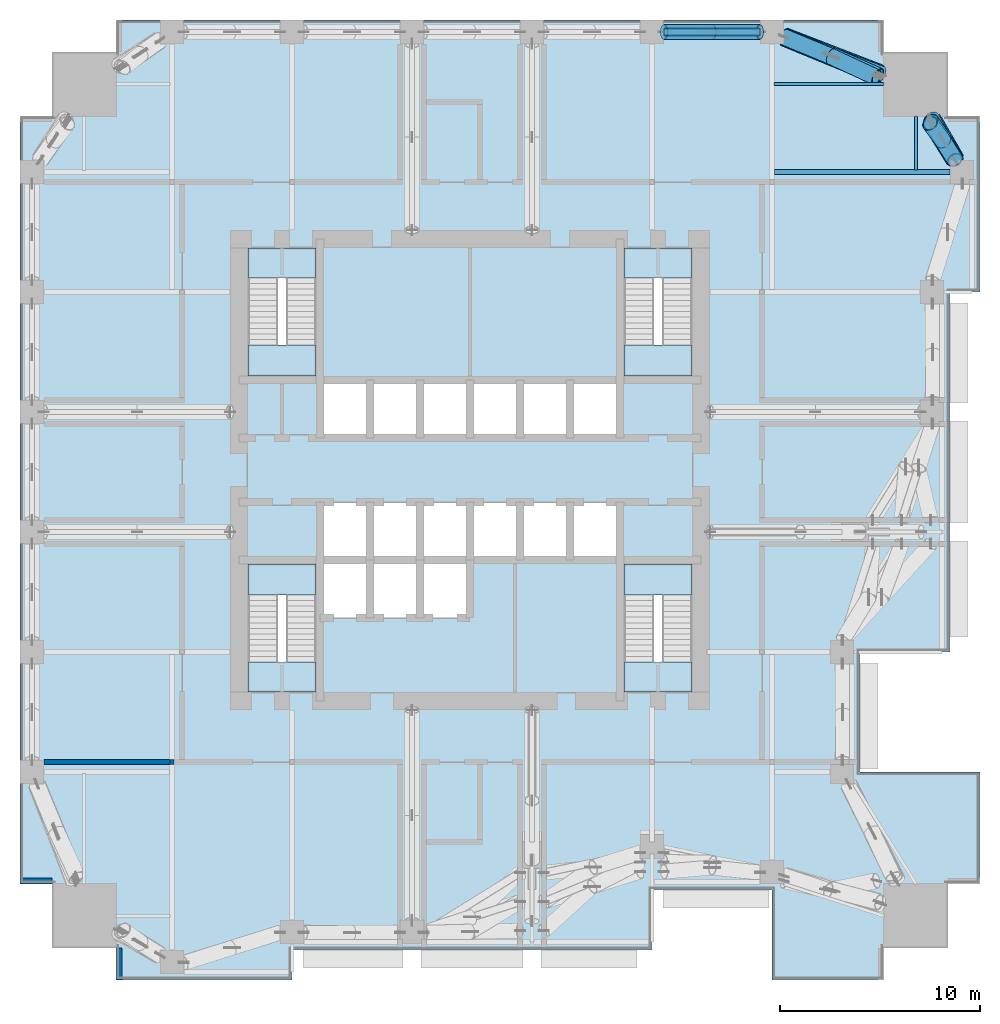
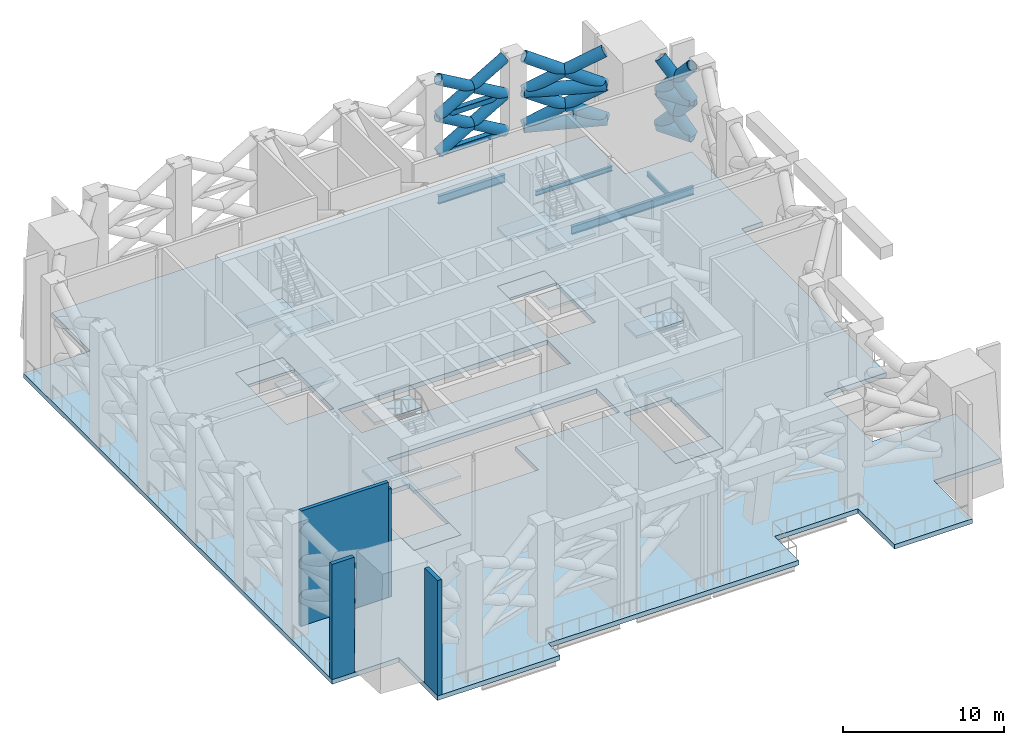
# One storey, part 6 of 18: 18 members, 17 slabs, 10 beams, 4 walls, 4 elements without a shape of their own.
"""IFC4 building model written with IfcOpenShell, lengths in metres."""

import ifcopenshell
import ifcopenshell.guid

model = None  # the IFC model being written
_history = None  # IfcOwnerHistory: only IFC2X3 demands one
_inside = {}  # id of a spatial element -> (the spatial element, [elements in it])
_under = {}  # id of a project, library or spatial element -> (it, [spatial elements below it])
_declared = {}  # id of a project -> (the project, [libraries it declares])
_typed = {}  # id of a type object -> (the type object, [elements of that type])
_made_of = {}  # id of a material, layer set ... -> (it, [elements and type objects made of it])


def new_model(schema):
    """Start an empty IFC model of exactly this schema.

    Asked for "IFC4X3", IfcOpenShell would pick the latest addendum, in which some entities
    have other attributes; the version numbers below select the first issue.
    IFC2X3 requires an IfcOwnerHistory on every rooted entity: one is made here for all.
    """
    global model, _history
    if schema == "IFC4X3":
        model = ifcopenshell.file(schema_version=(4, 3, 0, 0))
    else:
        model = ifcopenshell.file(schema=schema)
    _inside.clear()
    _under.clear()
    _declared.clear()
    _typed.clear()
    _made_of.clear()
    _history = None
    if model.schema == "IFC2X3":
        org = make("IfcOrganization", Name="unknown")
        user = make(
            "IfcPersonAndOrganization",
            ThePerson=make("IfcPerson", FamilyName="unknown"),
            TheOrganization=org,
        )
        app = make(
            "IfcApplication",
            ApplicationDeveloper=org,
            Version="unknown",
            ApplicationFullName="unknown",
            ApplicationIdentifier="unknown",
        )
        _history = make(
            "IfcOwnerHistory",
            OwningUser=user,
            OwningApplication=app,
            ChangeAction="ADDED",
            CreationDate=0,
        )
    return model


def make(cls, **values):
    """One entity of the class cls with the attributes given. An attribute that is None is left unset."""
    return model.create_entity(
        cls, **{name: value for name, value in values.items() if value is not None}
    )


def rooted(cls, **values):
    """An entity with a GlobalId (a new one), such as an element, a storey or a relation."""
    return make(cls, GlobalId=ifcopenshell.guid.new(), OwnerHistory=_history, **values)


def si_unit(unit_type, name, prefix=None):
    """IfcSIUnit, for example si_unit("LENGTHUNIT", "METRE", prefix="MILLI")."""
    return make("IfcSIUnit", UnitType=unit_type, Prefix=prefix, Name=name)


def assignment(units):
    """IfcUnitAssignment: the units of a project."""
    return None if units is None else make("IfcUnitAssignment", Units=units)


def point(xyz):
    """IfcCartesianPoint."""
    return None if xyz is None else make("IfcCartesianPoint", Coordinates=xyz)


def direction(xyz):
    """IfcDirection."""
    return None if xyz is None else make("IfcDirection", DirectionRatios=xyz)


def frame(location, z_axis=None, x_axis=None):
    """IfcAxis2Placement3D, a coordinate frame: its origin and axes. An axis left out is left unset."""
    return make(
        "IfcAxis2Placement3D",
        Location=point(location),
        Axis=direction(z_axis),
        RefDirection=direction(x_axis),
    )


def frame_2d(location, x_axis=None):
    """IfcAxis2Placement2D, a coordinate frame in the plane: its origin and x axis."""
    return make(
        "IfcAxis2Placement2D", Location=point(location), RefDirection=direction(x_axis)
    )


def origin():
    """The frame at (0, 0, 0) with its axes left unset."""
    return frame((0.0, 0.0, 0.0))


def origin_2d():
    """The frame at (0, 0) in the plane with its x axis left unset."""
    return frame_2d((0.0, 0.0))


def place(relative_to, where):
    """IfcLocalPlacement: puts the frame where relative to a parent placement (None: the world)."""
    return make(
        "IfcLocalPlacement", PlacementRelTo=relative_to, RelativePlacement=where
    )


def context(
    kind, dimensions, precision=None, world=None, true_north=None, identifier=None
):
    """IfcGeometricRepresentationContext, for example the 3D "Model" context."""
    return make(
        "IfcGeometricRepresentationContext",
        ContextIdentifier=identifier,
        ContextType=kind,
        CoordinateSpaceDimension=dimensions,
        Precision=precision,
        WorldCoordinateSystem=world,
        TrueNorth=true_north,
    )


def subcontext(parent, identifier, kind, view, scale=None):
    """IfcGeometricRepresentationSubContext, for example "Body" below "Model"."""
    return make(
        "IfcGeometricRepresentationSubContext",
        ContextIdentifier=identifier,
        ContextType=kind,
        ParentContext=parent,
        TargetScale=scale,
        TargetView=view,
    )


def project(units=None, contexts=None):
    """IfcProject with its units and contexts."""
    return rooted(
        "IfcProject",
        Name="project",
        RepresentationContexts=contexts,
        UnitsInContext=assignment(units),
    )


def spatial(cls, under=None, at=None, **own):
    """A site, building, storey or space (cls), placed at a placement, below another one or the project."""
    s = rooted(cls, ObjectPlacement=at, **own)
    if under is not None:
        _under.setdefault(under.id(), (under, []))[1].append(s)
    return s


def polyline(points):
    """IfcPolyline through the points."""
    return make("IfcPolyline", Points=[point(p) for p in points])


def profile(cls, at=None, kind="AREA", **sizes):
    """A parametric profile (cls). Its sizes go by their IFC names, for example OverallWidth=200.0."""
    return make(cls, ProfileType=kind, Position=at, **sizes)


def rectangle(**sizes):
    """IfcRectangleProfileDef."""
    return profile("IfcRectangleProfileDef", **sizes)


def hollow_rectangle(**sizes):
    """IfcRectangleHollowProfileDef."""
    return profile("IfcRectangleHollowProfileDef", **sizes)


def hollow_circle(**sizes):
    """IfcCircleHollowProfileDef."""
    return profile("IfcCircleHollowProfileDef", **sizes)


def i_section(**sizes):
    """IfcIShapeProfileDef."""
    return profile("IfcIShapeProfileDef", **sizes)


def outline(outer, holes=None, kind="AREA"):
    """IfcArbitraryClosedProfileDef: a profile drawn as a closed curve; with holes, ...WithVoids."""
    if holes is None:
        return make("IfcArbitraryClosedProfileDef", ProfileType=kind, OuterCurve=outer)
    return make(
        "IfcArbitraryProfileDefWithVoids",
        ProfileType=kind,
        OuterCurve=outer,
        InnerCurves=holes,
    )


def extrude(swept, where, along, depth):
    """IfcExtrudedAreaSolid: the profile swept, set in the frame where, extruded along a direction by depth."""
    return make(
        "IfcExtrudedAreaSolid",
        SweptArea=swept,
        Position=where,
        ExtrudedDirection=direction(along),
        Depth=depth,
    )


def shape(context_of_items, identifier, shape_type, items):
    """IfcShapeRepresentation: the items that make up one representation, for example the "Body"."""
    return make(
        "IfcShapeRepresentation",
        ContextOfItems=context_of_items,
        RepresentationIdentifier=identifier,
        RepresentationType=shape_type,
        Items=items,
    )


def material(Name=None, Category=None):
    """IfcMaterial."""
    return make("IfcMaterial", Name=Name, Category=Category)


def layer(
    of_material, thickness, ventilated=None, Name=None, Category=None, Priority=None
):
    """IfcMaterialLayer: one layer of a wall or slab, of a material (None: an air gap)."""
    return make(
        "IfcMaterialLayer",
        Material=of_material,
        LayerThickness=thickness,
        IsVentilated=ventilated,
        Name=Name,
        Category=Category,
        Priority=Priority,
    )


def layer_set(layers, Name=None):
    """IfcMaterialLayerSet."""
    return make("IfcMaterialLayerSet", MaterialLayers=layers, LayerSetName=Name)


def material_profile(
    of_material, cross_section, Name=None, Category=None, Priority=None
):
    """IfcMaterialProfile: a cross section and its material."""
    return make(
        "IfcMaterialProfile",
        Name=Name,
        Material=of_material,
        Profile=cross_section,
        Priority=Priority,
        Category=Category,
    )


def profile_set(profiles, Name=None, composite=None):
    """IfcMaterialProfileSet."""
    return make(
        "IfcMaterialProfileSet",
        Name=Name,
        MaterialProfiles=profiles,
        CompositeProfile=composite,
    )


def made_of(thing, what):
    """Note that an element or type object is made of a material, layer set ...; save() writes the relation."""
    if what is not None:
        _made_of.setdefault(what.id(), (what, []))[1].append(thing)
    return thing


def type_object(cls, material=None, **own):
    """A type object (cls), such as IfcWallType, which elements share."""
    return made_of(rooted(cls, **own), material)


def element(
    cls,
    number,
    at=None,
    inside=None,
    cuts=None,
    type_object=None,
    material=None,
    context=None,
    identifier="Body",
    shape_type=None,
    held_by="IfcProductDefinitionShape",
    body=None,
    shapes=None,
    **own,
):
    """One element of the class cls, such as IfcWall. Its Tag is "e" and its number.

    at: its placement. inside: the storey or other place that contains it. cuts: it is an
    opening in that element (IfcRelVoidsElement). A single representation is given by context,
    identifier, shape_type and body (its items); several are given by shapes. held_by: the class
    of the entity that holds the representations. save() writes the other relations.
    """
    e = rooted(cls, Tag="e%d" % number, ObjectPlacement=at, **own)
    if body is not None:
        shapes = [shape(context, identifier, shape_type, body)]
    if shapes is not None:
        e.Representation = make(held_by, Representations=shapes)
    if inside is not None:
        _inside.setdefault(inside.id(), (inside, []))[1].append(e)
    if cuts is not None:
        rooted(
            "IfcRelVoidsElement", RelatingBuildingElement=cuts, RelatedOpeningElement=e
        )
    if type_object is not None:
        _typed.setdefault(type_object.id(), (type_object, []))[1].append(e)
    return made_of(e, material)


def aggregate(whole, parts):
    """IfcRelAggregates: a whole, such as a stair, and the parts it consists of."""
    return rooted("IfcRelAggregates", RelatingObject=whole, RelatedObjects=parts)


def save(model, path):
    """Write the relations noted so far, then the file.

    IfcRelAggregates (storeys below a building ...), IfcRelContainedInSpatialStructure (elements
    in a storey), IfcRelDefinesByType, IfcRelAssociatesMaterial and IfcRelDeclares: one each for
    every whole, place, type object, material and project.
    """
    for whole, parts in _under.values():
        aggregate(whole, parts)
    for where, things in _inside.values():
        rooted(
            "IfcRelContainedInSpatialStructure",
            RelatedElements=things,
            RelatingStructure=where,
        )
    for kind, things in _typed.values():
        rooted("IfcRelDefinesByType", RelatedObjects=things, RelatingType=kind)
    for what, things in _made_of.values():
        rooted("IfcRelAssociatesMaterial", RelatedObjects=things, RelatingMaterial=what)
    for by, libraries in _declared.values():
        rooted("IfcRelDeclares", RelatingContext=by, RelatedDefinitions=libraries)
    model.write(path)


model = new_model("IFC4")

# Units and contexts
model_context = context("Model", 3, precision=1e-05, world=origin(), true_north=direction((0.0, 1.0)))
body_context = subcontext(model_context, "Body", "Model", "MODEL_VIEW")
ifc_project = project(units=[si_unit("LENGTHUNIT", "METRE"), si_unit("AREAUNIT", "SQUARE_METRE"), si_unit("VOLUMEUNIT", "CUBIC_METRE"), si_unit("PLANEANGLEUNIT", "RADIAN"), si_unit("MASSUNIT", "GRAM", prefix="KILO")], contexts=[model_context])

# Site, building, storey
site_placement = place(None, origin())
site = spatial("IfcSite", under=ifc_project, at=site_placement, CompositionType="ELEMENT")
building_placement = place(site_placement, origin())
building = spatial("IfcBuilding", under=site, at=building_placement, Name="Amberfall Residences", CompositionType="ELEMENT")
storey_placement = place(building_placement, frame((0.0, 0.0, 69.699951171875)))
storey = spatial("IfcBuildingStorey", under=building, at=storey_placement, Name="L19", CompositionType="ELEMENT", Elevation=69.699951171875)

# Beams
ifc_material_1 = material(Name="Steel S355", Category="steel")
ifc_material_profile_1 = material_profile(ifc_material_1, hollow_circle(Radius=0.457275390625, WallThickness=0.06005859375, at=origin_2d()), Name="CHS 914.4x60")
ifc_profile_set_1 = profile_set([ifc_material_profile_1], Name="Steel S355")
beam_type_1 = type_object("IfcBeamType", Name="Belt truss chord BT CHS 914.4x60", PredefinedType="BEAM", material=ifc_profile_set_1)
beam_1_placement = place(storey_placement, frame((97.587158203125, 63.068115234375, 3.0), z_axis=(0.497637885709, -0.867384882683, 0.0), x_axis=(0.867384882683, 0.497637885709, 0.0)))
element("IfcBeam", 1, at=beam_1_placement, inside=storey, type_object=beam_type_1, Name="Belt truss chord BT2 L19 NEE", PredefinedType="BEAM", context=body_context, shape_type="SweptSolid", body=[
    extrude(hollow_circle(Radius=0.457275390625, WallThickness=0.06005859375, at=origin_2d()), origin(), (0.0, 0.0, 1.0), 2.38427734375),
])
beam_2_placement = place(storey_placement, frame((97.544921875, 62.94677734375, 5.646484375), z_axis=(0.528869554533, -0.848703124943, 0.0), x_axis=(0.848703124943, 0.528869554533, 0.0)))
element("IfcBeam", 2, at=beam_2_placement, inside=storey, type_object=beam_type_1, Name="Belt truss chord BT2 L19 NEEm", PredefinedType="BEAM", context=body_context, shape_type="SweptSolid", body=[
    extrude(hollow_circle(Radius=0.457275390625, WallThickness=0.06005859375, at=origin_2d()), origin(), (0.0, 0.0, 1.0), 2.2939453125),
])
beam_3_placement = place(storey_placement, frame((95.06787109375, 65.28759765625, 3.0), z_axis=(-0.932809214738, 0.360370599384, 0.0), x_axis=(-0.360370599384, -0.932809214738, 0.0)))
element("IfcBeam", 3, at=beam_3_placement, inside=storey, type_object=beam_type_1, Name="Belt truss chord BT2 L19 NEN", PredefinedType="BEAM", context=body_context, shape_type="SweptSolid", body=[
    extrude(hollow_circle(Radius=0.457275390625, WallThickness=0.06005859375, at=origin_2d()), origin(), (0.0, 0.0, 1.0), 5.218505859375),
])
beam_4_placement = place(storey_placement, frame((94.9462890625, 65.20458984375, 5.646484375), z_axis=(-0.92504818344, 0.37984978388, 0.0), x_axis=(-0.37984978388, -0.92504818344, 0.0)))
element("IfcBeam", 4, at=beam_4_placement, inside=storey, type_object=beam_type_1, Name="Belt truss chord BT2 L19 NENm", PredefinedType="BEAM", context=body_context, shape_type="SweptSolid", body=[
    extrude(hollow_circle(Radius=0.457275390625, WallThickness=0.06005859375, at=origin_2d()), origin(), (0.0, 0.0, 1.0), 5.130859375),
])
ifc_material_profile_2 = material_profile(ifc_material_1, hollow_rectangle(XDim=0.39990234375, YDim=0.39990234375, WallThickness=0.02001953125, InnerFilletRadius=0.02001953125, OuterFilletRadius=0.030029296875, at=origin_2d()), Name="RHS 400x400x20")
ifc_profile_set_2 = profile_set([ifc_material_profile_2], Name="Steel S355")
beam_type_2 = type_object("IfcBeamType", Name="Belt truss chord BT RHS 400x400x20", PredefinedType="BEAM", material=ifc_profile_set_2)
for number, where, z_axis, x_axis, name in (
    (5, (84.199951171875, 67.39990234375, 2.900146484375), (1.0, 0.0, 0.0), (0.0, 1.0, 0.0), "Belt truss chord BT3 L19 N5"),
    (6, (84.199951171875, 67.39990234375, 5.699951171875), (1.0, 0.0, 0.0), (0.0, 1.0, 0.0), "Belt truss chord BT3 L19 N5m"),
):
    element("IfcBeam", number, at=place(storey_placement, frame(where, z_axis=z_axis, x_axis=x_axis)), inside=storey, type_object=beam_type_2, Name=name, PredefinedType="BEAM", context=body_context, shape_type="SweptSolid", body=[
        extrude(hollow_rectangle(XDim=0.39990234375, YDim=0.39990234375, WallThickness=0.02001953125, InnerFilletRadius=0.02001953125, OuterFilletRadius=0.030029296875, at=origin_2d()), origin(), (0.0, 0.0, 1.0), 4.800048828125),
    ])

# Members
ifc_material_profile_3 = material_profile(ifc_material_1, hollow_circle(Radius=0.381103515625, WallThickness=0.0400390625, at=origin_2d()), Name="CHS 762x40")
ifc_profile_set_3 = profile_set([ifc_material_profile_3], Name="Steel S355")
member_type_1 = type_object("IfcMemberType", Name="Belt truss diagonal BT CHS 762x40", PredefinedType="BRACE", material=ifc_profile_set_3)
member_1_placement = place(storey_placement, frame((84.199951171875, 67.39990234375, 2.900146484375), z_axis=(0.863796428652, 0.0, 0.503840976745), x_axis=(0.0, 1.0, 0.0)))
element("IfcMember", 7, at=member_1_placement, inside=storey, type_object=member_type_1, Name="Belt truss diagonal BT4 L19 N5d", PredefinedType="BRACE", context=body_context, shape_type="SweptSolid", body=[
    extrude(hollow_circle(Radius=0.381103515625, WallThickness=0.0400390625, at=origin_2d()), origin(), (0.0, 0.0, 1.0), 5.556884765625),
])
member_2_placement = place(storey_placement, frame((84.199951171875, 67.39990234375, 5.699951171875), z_axis=(0.863807581045, 0.0, -0.503821856343), x_axis=(0.0, 1.0, 0.0)))
element("IfcMember", 8, at=member_2_placement, inside=storey, type_object=member_type_1, Name="Belt truss diagonal BT4 L19 N5e", PredefinedType="BRACE", context=body_context, shape_type="SweptSolid", body=[
    extrude(hollow_circle(Radius=0.381103515625, WallThickness=0.0400390625, at=origin_2d()), origin(), (0.0, 0.0, 1.0), 2.778564453125),
])
member_3_placement = place(storey_placement, frame((86.60009765625, 67.39990234375, 4.300048828125), z_axis=(0.86378527499, 0.0, -0.503860098351), x_axis=(0.0, 1.0, 0.0)))
element("IfcMember", 9, at=member_3_placement, inside=storey, type_object=member_type_1, Name="Belt truss diagonal BT4 L19 N5e2", PredefinedType="BRACE", context=body_context, shape_type="SweptSolid", body=[
    extrude(hollow_circle(Radius=0.381103515625, WallThickness=0.0400390625, at=origin_2d()), origin(), (0.0, 0.0, 1.0), 2.7783203125),
])
member_4_placement = place(storey_placement, frame((84.199951171875, 67.39990234375, 5.699951171875), z_axis=(0.86377730745, 0.0, 0.503873757141), x_axis=(0.0, 1.0, 0.0)))
element("IfcMember", 10, at=member_4_placement, inside=storey, type_object=member_type_1, Name="Belt truss diagonal BT4 L19 N5du", PredefinedType="BRACE", context=body_context, shape_type="SweptSolid", body=[
    extrude(hollow_circle(Radius=0.381103515625, WallThickness=0.0400390625, at=origin_2d()), origin(), (0.0, 0.0, 1.0), 5.55712890625),
])
for number, where, z_axis, x_axis, name in (
    (11, (84.199951171875, 67.39990234375, 8.5), (0.863807581045, 0.0, -0.503821856343), (0.0, 1.0, 0.0), "Belt truss diagonal BT4 L19 N5eu"),
    (12, (86.60009765625, 67.39990234375, 7.10009765625), (0.863747029779, 0.0, -0.50392565776), (0.0, 1.0, 0.0), "Belt truss diagonal BT4 L19 N5e2u"),
):
    element("IfcMember", number, at=place(storey_placement, frame(where, z_axis=z_axis, x_axis=x_axis)), inside=storey, type_object=member_type_1, Name=name, PredefinedType="BRACE", context=body_context, shape_type="SweptSolid", body=[
        extrude(hollow_circle(Radius=0.381103515625, WallThickness=0.0400390625, at=origin_2d()), origin(), (0.0, 0.0, 1.0), 2.778564453125),
    ])
ifc_material_profile_4 = material_profile(ifc_material_1, hollow_circle(Radius=0.406494140625, WallThickness=0.050048828125, at=origin_2d()), Name="CHS 813x50")
ifc_profile_set_4 = profile_set([ifc_material_profile_4], Name="Steel S355")
member_type_2 = type_object("IfcMemberType", Name="Belt truss diagonal BT CHS 813x50", PredefinedType="BRACE", material=ifc_profile_set_4)
member_5_placement = place(storey_placement, frame((97.587158203125, 63.068115234375, 3.0), z_axis=(0.329184911807, -0.581427311909, 0.744029283567), x_axis=(0.870208658221, 0.492683357906, 0.0)))
element("IfcMember", 13, at=member_5_placement, inside=storey, type_object=member_type_2, Name="Belt truss diagonal BT5 L19 NEEd", PredefinedType="BRACE", context=body_context, shape_type="SweptSolid", body=[
    extrude(hollow_circle(Radius=0.406494140625, WallThickness=0.050048828125, at=origin_2d()), origin(), (0.0, 0.0, 1.0), 3.556884765625),
])
member_6_placement = place(storey_placement, frame((97.544921875, 62.94677734375, 5.646484375), z_axis=(0.371395803632, -0.542198151826, -0.753715013252), x_axis=(0.825010647697, 0.565117183588, 0.0)))
element("IfcMember", 14, at=member_6_placement, inside=storey, type_object=member_type_2, Name="Belt truss diagonal BT5 L19 NEEe", PredefinedType="BRACE", context=body_context, shape_type="SweptSolid", body=[
    extrude(hollow_circle(Radius=0.406494140625, WallThickness=0.050048828125, at=origin_2d()), origin(), (0.0, 0.0, 1.0), 1.720947265625),
])
member_7_placement = place(storey_placement, frame((98.18408203125, 62.013671875, 4.349365234375), z_axis=(0.329805235178, -0.56701918694, -0.754796494753), x_axis=(0.864412500446, 0.502783282412, 0.0)))
element("IfcMember", 15, at=member_7_placement, inside=storey, type_object=member_type_2, Name="Belt truss diagonal BT5 L19 NEEe2", PredefinedType="BRACE", context=body_context, shape_type="SweptSolid", body=[
    extrude(hollow_circle(Radius=0.406494140625, WallThickness=0.050048828125, at=origin_2d()), origin(), (0.0, 0.0, 1.0), 1.787841796875),
])
member_8_placement = place(storey_placement, frame((97.544921875, 62.94677734375, 5.646484375), z_axis=(0.342147174304, -0.556792156714, 0.756913340705), x_axis=(0.851995647307, 0.523548867796, 0.0)))
element("IfcMember", 16, at=member_8_placement, inside=storey, type_object=member_type_2, Name="Belt truss diagonal BT5 L19 NEEdu", PredefinedType="BRACE", context=body_context, shape_type="SweptSolid", body=[
    extrude(hollow_circle(Radius=0.406494140625, WallThickness=0.050048828125, at=origin_2d()), origin(), (0.0, 0.0, 1.0), 3.496337890625),
])
member_9_placement = place(storey_placement, frame((97.5078125, 62.8271484375, 8.29296875), z_axis=(0.382493069313, -0.516243003396, -0.766284681676), x_axis=(0.803489560418, 0.595318844234, 0.0)))
element("IfcMember", 17, at=member_9_placement, inside=storey, type_object=member_type_2, Name="Belt truss diagonal BT5 L19 NEEeu", PredefinedType="BRACE", context=body_context, shape_type="SweptSolid", body=[
    extrude(hollow_circle(Radius=0.406494140625, WallThickness=0.050048828125, at=origin_2d()), origin(), (0.0, 0.0, 1.0), 1.692138671875),
])
member_10_placement = place(storey_placement, frame((98.155029296875, 61.95361328125, 6.996337890625), z_axis=(0.342766148114, -0.542042337867, -0.767268839239), x_axis=(0.845190548783, 0.534465093573, 0.0)))
element("IfcMember", 18, at=member_10_placement, inside=storey, type_object=member_type_2, Name="Belt truss diagonal BT5 L19 NEEe2u", PredefinedType="BRACE", context=body_context, shape_type="SweptSolid", body=[
    extrude(hollow_circle(Radius=0.406494140625, WallThickness=0.050048828125, at=origin_2d()), origin(), (0.0, 0.0, 1.0), 1.75927734375),
])
member_11_placement = place(storey_placement, frame((95.06787109375, 65.28759765625, 3.0), z_axis=(-0.83261154579, 0.319155927803, 0.452656058797), x_axis=(-0.357924442952, -0.933750551881, 0.0)))
element("IfcMember", 19, at=member_11_placement, inside=storey, type_object=member_type_2, Name="Belt truss diagonal BT5 L19 NENd", PredefinedType="BRACE", context=body_context, shape_type="SweptSolid", body=[
    extrude(hollow_circle(Radius=0.406494140625, WallThickness=0.050048828125, at=origin_2d()), origin(), (0.0, 0.0, 1.0), 5.8466796875),
])
member_12_placement = place(storey_placement, frame((94.9462890625, 65.20458984375, 5.646484375), z_axis=(-0.81427950724, 0.357359775377, -0.457430732495), x_axis=(-0.401868633029, -0.915697330884, 0.0)))
element("IfcMember", 20, at=member_12_placement, inside=storey, type_object=member_type_2, Name="Belt truss diagonal BT5 L19 NENe", PredefinedType="BRACE", context=body_context, shape_type="SweptSolid", body=[
    extrude(hollow_circle(Radius=0.406494140625, WallThickness=0.050048828125, at=origin_2d()), origin(), (0.0, 0.0, 1.0), 2.86669921875),
])
member_13_placement = place(storey_placement, frame((92.612060546875, 66.22900390625, 4.335205078125), z_axis=(-0.82816757936, 0.322465655647, -0.45842596068), x_axis=(-0.362837657553, -0.931852367203, 0.0)))
element("IfcMember", 21, at=member_13_placement, inside=storey, type_object=member_type_2, Name="Belt truss diagonal BT5 L19 NENe2", PredefinedType="BRACE", context=body_context, shape_type="SweptSolid", body=[
    extrude(hollow_circle(Radius=0.406494140625, WallThickness=0.050048828125, at=origin_2d()), origin(), (0.0, 0.0, 1.0), 2.91259765625),
])
member_14_placement = place(storey_placement, frame((94.9462890625, 65.20458984375, 5.646484375), z_axis=(-0.822832112037, 0.335337627883, 0.458798420579), x_axis=(-0.377402800058, -0.926049203071, 0.0)))
element("IfcMember", 22, at=member_14_placement, inside=storey, type_object=member_type_2, Name="Belt truss diagonal BT5 L19 NENdu", PredefinedType="BRACE", context=body_context, shape_type="SweptSolid", body=[
    extrude(hollow_circle(Radius=0.406494140625, WallThickness=0.050048828125, at=origin_2d()), origin(), (0.0, 0.0, 1.0), 5.768310546875),
])
member_15_placement = place(storey_placement, frame((94.826904296875, 65.124755859375, 8.29296875), z_axis=(-0.80380755689, 0.372959114354, -0.463459718323), x_axis=(-0.420891031675, -0.907111205672, 0.0)))
element("IfcMember", 23, at=member_15_placement, inside=storey, type_object=member_type_2, Name="Belt truss diagonal BT5 L19 NENeu", PredefinedType="BRACE", context=body_context, shape_type="SweptSolid", body=[
    extrude(hollow_circle(Radius=0.406494140625, WallThickness=0.050048828125, at=origin_2d()), origin(), (0.0, 0.0, 1.0), 2.829833984375),
])
member_16_placement = place(storey_placement, frame((92.55224609375, 66.18017578125, 6.9814453125), z_axis=(-0.818324559522, 0.338625845232, -0.464410865746), x_axis=(-0.38236026322, -0.924013327345, 0.0)))
element("IfcMember", 24, at=member_16_placement, inside=storey, type_object=member_type_2, Name="Belt truss diagonal BT5 L19 NENe2u", PredefinedType="BRACE", context=body_context, shape_type="SweptSolid", body=[
    extrude(hollow_circle(Radius=0.406494140625, WallThickness=0.050048828125, at=origin_2d()), origin(), (0.0, 0.0, 1.0), 2.87451171875),
])

# Beams
ifc_material_profile_5 = material_profile(ifc_material_1, i_section(OverallWidth=0.228271484375, OverallDepth=0.607666015625, WebThickness=0.010986328125, FlangeThickness=0.017333984375, FilletRadius=0.0126953125, at=origin_2d()), Name="UB 610x229x113")
ifc_profile_set_5 = profile_set([ifc_material_profile_5], Name="Steel S355")
beam_type_3 = type_object("IfcBeamType", Name="Edge beam UB 610x229x113", PredefinedType="SPANDREL", material=ifc_profile_set_5)
beam_5_placement = place(storey_placement, frame((84.199951171875, 67.39990234375, -0.65380859375), z_axis=(1.0, 0.0, 0.0), x_axis=(0.0, 1.0, 0.0)))
element("IfcBeam", 25, at=beam_5_placement, inside=storey, type_object=beam_type_3, Name="Edge beam B12 L19 33", PredefinedType="SPANDREL", context=body_context, shape_type="SweptSolid", body=[
    extrude(i_section(OverallWidth=0.228271484375, OverallDepth=0.607666015625, WebThickness=0.010986328125, FlangeThickness=0.017333984375, FilletRadius=0.0126953125, at=origin_2d()), origin(), (0.0, 0.0, 1.0), 4.800048828125),
])
ifc_material_profile_6 = material_profile(ifc_material_1, i_section(OverallWidth=0.230224609375, OverallDepth=0.6171875, WebThickness=0.01318359375, FlangeThickness=0.022216796875, FilletRadius=0.0126953125, at=origin_2d()), Name="UB 610x229x140")
ifc_profile_set_6 = profile_set([ifc_material_profile_6], Name="Steel S355")
beam_type_4 = type_object("IfcBeamType", Name="Floor girder UB 610x229x140", PredefinedType="BEAM", material=ifc_profile_set_6)
beam_6_placement = place(storey_placement, frame((98.5, 60.39990234375, -0.658447265625), z_axis=(-1.0, 0.0, 0.0), x_axis=(0.0, -1.0, 0.0)))
element("IfcBeam", 26, at=beam_6_placement, inside=storey, type_object=beam_type_4, Name="Floor girder B13 L19 28", PredefinedType="BEAM", context=body_context, shape_type="SweptSolid", body=[
    extrude(i_section(OverallWidth=0.230224609375, OverallDepth=0.6171875, WebThickness=0.01318359375, FlangeThickness=0.022216796875, FilletRadius=0.0126953125, at=origin_2d()), origin(), (0.0, 0.0, 1.0), 8.780029296875),
])
ifc_material_profile_7 = material_profile(ifc_material_1, i_section(OverallWidth=0.171142578125, OverallDepth=0.351318359375, WebThickness=0.007080078125, FlangeThickness=0.009765625, FilletRadius=0.01025390625, at=origin_2d()), Name="UB 356x171x45")
ifc_profile_set_7 = profile_set([ifc_material_profile_7], Name="Steel S355")
beam_type_5 = type_object("IfcBeamType", Name="Link beam UB 356x171x45", PredefinedType="BEAM", material=ifc_profile_set_7)
beam_7_placement = place(storey_placement, frame((95.199951171875, 64.800048828125, -0.525634765625), z_axis=(-1.0, 0.0, 0.0), x_axis=(0.0, -1.0, 0.0)))
element("IfcBeam", 27, at=beam_7_placement, inside=storey, type_object=beam_type_5, Name="Link beam B7 L19 55", PredefinedType="BEAM", context=body_context, shape_type="SweptSolid", body=[
    extrude(i_section(OverallWidth=0.171142578125, OverallDepth=0.351318359375, WebThickness=0.007080078125, FlangeThickness=0.009765625, FilletRadius=0.01025390625, at=origin_2d()), origin(), (0.0, 0.0, 1.0), 5.504638671875),
])
beam_8_placement = place(storey_placement, frame((96.800048828125, 63.199951171875, -0.525634765625), z_axis=(0.0, -1.0, 0.0), x_axis=(1.0, 0.0, 0.0)))
element("IfcBeam", 28, at=beam_8_placement, inside=storey, type_object=beam_type_5, Name="Link beam B7 L19 56", PredefinedType="BEAM", context=body_context, shape_type="SweptSolid", body=[
    extrude(i_section(OverallWidth=0.171142578125, OverallDepth=0.351318359375, WebThickness=0.007080078125, FlangeThickness=0.009765625, FilletRadius=0.01025390625, at=origin_2d()), origin(), (0.0, 0.0, 1.0), 2.705322265625),
])

# Slab
ifc_material_2 = material(Name="Concrete C80", Category="concrete")
ifc_layer_1 = layer(ifc_material_2, 0.35009765625)
ifc_layer_set_1 = layer_set([ifc_layer_1], Name="Refuge floor slab 350 C80")
slab_type_1 = type_object("IfcSlabType", Name="Refuge floor slab 350 C80", PredefinedType="FLOOR", material=ifc_layer_set_1)
slab_1_placement = place(storey_placement, frame((0.0, 0.0, -0.349853515625)))
element("IfcSlab", 29, at=slab_1_placement, inside=storey, type_object=slab_type_1, Name="Floor slab S6 L19", PredefinedType="FLOOR", context=body_context, shape_type="SweptSolid", body=[
    extrude(outline(polyline([(89.60009765625, 20.0), (89.60009765625, 24.5), (83.60009765625, 24.5), (83.60009765625, 21.5), (77.60009765625, 21.5), (71.60009765625, 21.5), (65.60009765625, 21.5), (65.60009765625, 20.0), (57.10009765625, 20.0), (56.800048828125, 20.0), (56.800048828125, 24.800048828125), (52.0, 24.800048828125), (52.0, 25.10009765625), (52.0, 62.89990234375), (52.0, 63.199951171875), (56.800048828125, 63.199951171875), (56.800048828125, 68.0), (57.10009765625, 68.0), (94.89990234375, 68.0), (95.199951171875, 68.0), (95.199951171875, 63.199951171875), (100.0, 63.199951171875), (100.0, 62.89990234375), (100.0, 54.39990234375), (98.5, 54.39990234375), (98.5, 48.39990234375), (98.5, 42.39990234375), (98.5, 36.39990234375), (94.0, 36.39990234375), (94.0, 30.39990234375), (100.0, 30.39990234375), (100.0, 25.10009765625), (100.0, 24.800048828125), (95.199951171875, 24.800048828125), (95.199951171875, 20.0), (94.89990234375, 20.0), (89.60009765625, 20.0)]), holes=[polyline([(85.60009765625, 34.39990234375), (85.60009765625, 40.800048828125), (82.199951171875, 40.800048828125), (82.199951171875, 34.39990234375), (85.60009765625, 34.39990234375)]), polyline([(82.199951171875, 50.199951171875), (85.60009765625, 50.199951171875), (85.60009765625, 56.60009765625), (82.199951171875, 56.60009765625), (82.199951171875, 50.199951171875)]), polyline([(69.5, 50.0), (67.0, 50.0), (67.0, 47.10009765625), (69.5, 47.10009765625), (72.0, 47.10009765625), (74.5, 47.10009765625), (77.0, 47.10009765625), (79.5, 47.10009765625), (82.0, 47.10009765625), (82.0, 50.0), (79.5, 50.0), (77.0, 50.0), (74.5, 50.0), (72.0, 50.0), (69.5, 50.0)]), polyline([(74.5, 41.0), (77.0, 41.0), (79.5, 41.0), (82.0, 41.0), (82.0, 43.89990234375), (79.5, 43.89990234375), (77.0, 43.89990234375), (74.5, 43.89990234375), (72.0, 43.89990234375), (69.5, 43.89990234375), (67.0, 43.89990234375), (67.0, 41.0), (67.0, 38.10009765625), (69.5, 38.10009765625), (72.0, 38.10009765625), (74.5, 38.10009765625), (74.5, 41.0)]), polyline([(66.800048828125, 34.39990234375), (66.800048828125, 40.800048828125), (63.39990234375, 40.800048828125), (63.39990234375, 34.39990234375), (66.800048828125, 34.39990234375)]), polyline([(66.800048828125, 50.199951171875), (66.800048828125, 56.60009765625), (63.39990234375, 56.60009765625), (63.39990234375, 50.199951171875), (66.800048828125, 50.199951171875)])]), origin(), (0.0, 0.0, 1.0), 0.349853515625),
])

# Stair, slabs
ifc_material_3 = material(Name="Concrete C40", Category="concrete")
stair_type = type_object("IfcStairType", Name="Exit stair 52 risers 173.1 mm", PredefinedType="HALF_TURN_STAIR", material=ifc_material_3)
stair_1_placement = place(storey_placement, origin())
stair_1 = element("IfcStair", 30, at=stair_1_placement, inside=storey, type_object=stair_type, Name="L19 Exit stair 1", PredefinedType="HALF_TURN_STAIR")
ifc_layer_2 = layer(ifc_material_3, 0.199951171875)
ifc_layer_set_2 = layer_set([ifc_layer_2], Name="Stair landing 200")
slab_type_2 = type_object("IfcSlabType", Name="Stair landing 200", PredefinedType="LANDING", material=ifc_layer_set_2)
slab_2_placement = place(storey_placement, frame((0.0, 0.0, 2.050048828125)))
slab_2 = element("IfcSlab", 31, at=slab_2_placement, type_object=slab_type_2, Name="ST4 landing 1", PredefinedType="LANDING", context=body_context, shape_type="SweptSolid", body=[
    extrude(outline(polyline([(66.800048828125, 39.260009765625), (66.800048828125, 40.800048828125), (63.39990234375, 40.800048828125), (63.39990234375, 39.260009765625), (66.800048828125, 39.260009765625)])), origin(), (0.0, 0.0, 1.0), 0.199951171875),
])
slab_3_placement = place(storey_placement, frame((0.0, 0.0, 4.300048828125)))
slab_3 = element("IfcSlab", 32, at=slab_3_placement, type_object=slab_type_2, Name="ST4 landing 2", PredefinedType="LANDING", context=body_context, shape_type="SweptSolid", body=[
    extrude(outline(polyline([(66.800048828125, 34.39990234375), (66.800048828125, 35.89990234375), (63.39990234375, 35.89990234375), (63.39990234375, 34.39990234375), (66.800048828125, 34.39990234375)])), origin(), (0.0, 0.0, 1.0), 0.199951171875),
])
slab_4_placement = place(storey_placement, frame((0.0, 0.0, 6.550048828125)))
slab_4 = element("IfcSlab", 33, at=slab_4_placement, type_object=slab_type_2, Name="ST4 landing 3", PredefinedType="LANDING", context=body_context, shape_type="SweptSolid", body=[
    extrude(outline(polyline([(66.800048828125, 39.260009765625), (66.800048828125, 40.800048828125), (63.39990234375, 40.800048828125), (63.39990234375, 39.260009765625), (66.800048828125, 39.260009765625)])), origin(), (0.0, 0.0, 1.0), 0.199951171875),
])
slab_5_placement = place(storey_placement, frame((0.0, 0.0, -0.199951171875)))
slab_5 = element("IfcSlab", 34, at=slab_5_placement, type_object=slab_type_2, Name="ST4 landing 4", PredefinedType="LANDING", context=body_context, shape_type="SweptSolid", body=[
    extrude(outline(polyline([(66.800048828125, 34.39990234375), (66.800048828125, 35.89990234375), (63.39990234375, 35.89990234375), (63.39990234375, 34.39990234375), (66.800048828125, 34.39990234375)])), origin(), (0.0, 0.0, 1.0), 0.199951171875),
])
aggregate(stair_1, [slab_2, slab_3, slab_4, slab_5])

stair_2_placement = place(storey_placement, origin())
stair_2 = element("IfcStair", 35, at=stair_2_placement, inside=storey, type_object=stair_type, Name="L19 Exit stair 2", PredefinedType="HALF_TURN_STAIR")
slab_6_placement = place(storey_placement, frame((0.0, 0.0, 2.050048828125)))
slab_6 = element("IfcSlab", 36, at=slab_6_placement, type_object=slab_type_2, Name="ST4 landing 1", PredefinedType="LANDING", context=body_context, shape_type="SweptSolid", body=[
    extrude(outline(polyline([(85.60009765625, 39.260009765625), (85.60009765625, 40.800048828125), (82.199951171875, 40.800048828125), (82.199951171875, 39.260009765625), (85.60009765625, 39.260009765625)])), origin(), (0.0, 0.0, 1.0), 0.199951171875),
])
slab_7_placement = place(storey_placement, frame((0.0, 0.0, 4.300048828125)))
slab_7 = element("IfcSlab", 37, at=slab_7_placement, type_object=slab_type_2, Name="ST4 landing 2", PredefinedType="LANDING", context=body_context, shape_type="SweptSolid", body=[
    extrude(outline(polyline([(85.60009765625, 34.39990234375), (85.60009765625, 35.89990234375), (82.199951171875, 35.89990234375), (82.199951171875, 34.39990234375), (85.60009765625, 34.39990234375)])), origin(), (0.0, 0.0, 1.0), 0.199951171875),
])
slab_8_placement = place(storey_placement, frame((0.0, 0.0, 6.550048828125)))
slab_8 = element("IfcSlab", 38, at=slab_8_placement, type_object=slab_type_2, Name="ST4 landing 3", PredefinedType="LANDING", context=body_context, shape_type="SweptSolid", body=[
    extrude(outline(polyline([(85.60009765625, 39.260009765625), (85.60009765625, 40.800048828125), (82.199951171875, 40.800048828125), (82.199951171875, 39.260009765625), (85.60009765625, 39.260009765625)])), origin(), (0.0, 0.0, 1.0), 0.199951171875),
])
slab_9_placement = place(storey_placement, frame((0.0, 0.0, -0.199951171875)))
slab_9 = element("IfcSlab", 39, at=slab_9_placement, type_object=slab_type_2, Name="ST4 landing 4", PredefinedType="LANDING", context=body_context, shape_type="SweptSolid", body=[
    extrude(outline(polyline([(85.60009765625, 34.39990234375), (85.60009765625, 35.89990234375), (82.199951171875, 35.89990234375), (82.199951171875, 34.39990234375), (85.60009765625, 34.39990234375)])), origin(), (0.0, 0.0, 1.0), 0.199951171875),
])
aggregate(stair_2, [slab_6, slab_7, slab_8, slab_9])

stair_3_placement = place(storey_placement, origin())
stair_3 = element("IfcStair", 40, at=stair_3_placement, inside=storey, type_object=stair_type, Name="L19 Exit stair 3", PredefinedType="HALF_TURN_STAIR")
slab_10_placement = place(storey_placement, frame((0.0, 0.0, 2.050048828125)))
slab_10 = element("IfcSlab", 41, at=slab_10_placement, type_object=slab_type_2, Name="ST4 landing 1", PredefinedType="LANDING", context=body_context, shape_type="SweptSolid", body=[
    extrude(outline(polyline([(82.199951171875, 51.739990234375), (82.199951171875, 50.199951171875), (85.60009765625, 50.199951171875), (85.60009765625, 51.739990234375), (82.199951171875, 51.739990234375)])), origin(), (0.0, 0.0, 1.0), 0.199951171875),
])
slab_11_placement = place(storey_placement, frame((0.0, 0.0, 4.300048828125)))
slab_11 = element("IfcSlab", 42, at=slab_11_placement, type_object=slab_type_2, Name="ST4 landing 2", PredefinedType="LANDING", context=body_context, shape_type="SweptSolid", body=[
    extrude(outline(polyline([(82.199951171875, 56.60009765625), (82.199951171875, 55.10009765625), (85.60009765625, 55.10009765625), (85.60009765625, 56.60009765625), (82.199951171875, 56.60009765625)])), origin(), (0.0, 0.0, 1.0), 0.199951171875),
])
slab_12_placement = place(storey_placement, frame((0.0, 0.0, 6.550048828125)))
slab_12 = element("IfcSlab", 43, at=slab_12_placement, type_object=slab_type_2, Name="ST4 landing 3", PredefinedType="LANDING", context=body_context, shape_type="SweptSolid", body=[
    extrude(outline(polyline([(82.199951171875, 51.739990234375), (82.199951171875, 50.199951171875), (85.60009765625, 50.199951171875), (85.60009765625, 51.739990234375), (82.199951171875, 51.739990234375)])), origin(), (0.0, 0.0, 1.0), 0.199951171875),
])
slab_13_placement = place(storey_placement, frame((0.0, 0.0, -0.199951171875)))
slab_13 = element("IfcSlab", 44, at=slab_13_placement, type_object=slab_type_2, Name="ST4 landing 4", PredefinedType="LANDING", context=body_context, shape_type="SweptSolid", body=[
    extrude(outline(polyline([(82.199951171875, 56.60009765625), (82.199951171875, 55.10009765625), (85.60009765625, 55.10009765625), (85.60009765625, 56.60009765625), (82.199951171875, 56.60009765625)])), origin(), (0.0, 0.0, 1.0), 0.199951171875),
])
aggregate(stair_3, [slab_10, slab_11, slab_12, slab_13])

stair_4_placement = place(storey_placement, origin())
stair_4 = element("IfcStair", 45, at=stair_4_placement, inside=storey, type_object=stair_type, Name="L19 Exit stair 4", PredefinedType="HALF_TURN_STAIR")
slab_14_placement = place(storey_placement, frame((0.0, 0.0, 2.050048828125)))
slab_14 = element("IfcSlab", 46, at=slab_14_placement, type_object=slab_type_2, Name="ST4 landing 1", PredefinedType="LANDING", context=body_context, shape_type="SweptSolid", body=[
    extrude(outline(polyline([(63.39990234375, 51.739990234375), (63.39990234375, 50.199951171875), (66.800048828125, 50.199951171875), (66.800048828125, 51.739990234375), (63.39990234375, 51.739990234375)])), origin(), (0.0, 0.0, 1.0), 0.199951171875),
])
slab_15_placement = place(storey_placement, frame((0.0, 0.0, 4.300048828125)))
slab_15 = element("IfcSlab", 47, at=slab_15_placement, type_object=slab_type_2, Name="ST4 landing 2", PredefinedType="LANDING", context=body_context, shape_type="SweptSolid", body=[
    extrude(outline(polyline([(63.39990234375, 56.60009765625), (63.39990234375, 55.10009765625), (66.800048828125, 55.10009765625), (66.800048828125, 56.60009765625), (63.39990234375, 56.60009765625)])), origin(), (0.0, 0.0, 1.0), 0.199951171875),
])
slab_16_placement = place(storey_placement, frame((0.0, 0.0, 6.550048828125)))
slab_16 = element("IfcSlab", 48, at=slab_16_placement, type_object=slab_type_2, Name="ST4 landing 3", PredefinedType="LANDING", context=body_context, shape_type="SweptSolid", body=[
    extrude(outline(polyline([(63.39990234375, 51.739990234375), (63.39990234375, 50.199951171875), (66.800048828125, 50.199951171875), (66.800048828125, 51.739990234375), (63.39990234375, 51.739990234375)])), origin(), (0.0, 0.0, 1.0), 0.199951171875),
])
slab_17_placement = place(storey_placement, frame((0.0, 0.0, -0.199951171875)))
slab_17 = element("IfcSlab", 49, at=slab_17_placement, type_object=slab_type_2, Name="ST4 landing 4", PredefinedType="LANDING", context=body_context, shape_type="SweptSolid", body=[
    extrude(outline(polyline([(63.39990234375, 56.60009765625), (63.39990234375, 55.10009765625), (66.800048828125, 55.10009765625), (66.800048828125, 56.60009765625), (63.39990234375, 56.60009765625)])), origin(), (0.0, 0.0, 1.0), 0.199951171875),
])
aggregate(stair_4, [slab_14, slab_15, slab_16, slab_17])

# Walls
ifc_material_4 = material(Name="Reinforced concrete C40", Category="concrete")
ifc_layer_3 = layer(ifc_material_4, 0.25)
ifc_layer_set_3 = layer_set([ifc_layer_3], Name="Compartment wall 250")
wall_type_1 = type_object("IfcWallType", Name="Compartment wall 250", PredefinedType="SOLIDWALL", material=ifc_layer_set_3)
wall_1_placement = place(storey_placement, frame((53.199951171875, 30.89990234375, 0.0), z_axis=(0.0, 0.0, 1.0), x_axis=(1.0, 0.0, 0.0)))
element("IfcWall", 50, at=wall_1_placement, inside=storey, type_object=wall_type_1, Name="Compartment wall 250 L19 002", PredefinedType="SOLIDWALL", context=body_context, shape_type="SweptSolid", body=[
    extrude(rectangle(XDim=6.294677734375, YDim=0.25, at=frame_2d((3.1474609375, 0.0))), origin(), (0.0, 0.0, 1.0), 8.75),
])
wall_2_placement = place(storey_placement, frame((59.49462890625, 30.89990234375, 0.0), z_axis=(0.0, 0.0, 1.0), x_axis=(1.0, 0.0, 0.0)))
element("IfcWall", 51, at=wall_2_placement, inside=storey, type_object=wall_type_1, Name="Compartment wall 250 L19 003", PredefinedType="SOLIDWALL", context=body_context, shape_type="SweptSolid", body=[
    extrude(rectangle(XDim=0.210693359375, YDim=0.25, at=frame_2d((0.10546875, 0.0))), origin(), (0.0, 0.0, 1.0), 8.2099609375),
])
ifc_material_5 = material(Name="Bronze aluminium louvre cladding on insulated backing", Category="aluminium")
ifc_layer_4 = layer(ifc_material_5, 0.300048828125)
ifc_layer_set_4 = layer_set([ifc_layer_4], Name="Louvre clad wall 300")
wall_type_2 = type_object("IfcWallType", Name="Louvre clad wall 300", PredefinedType="SOLIDWALL", material=ifc_layer_set_4)
for number, where, z_axis, x_axis, name in (
    (52, (52.0, 24.949951171875, 0.0), (0.0, 0.0, 1.0), (1.0, 0.0, 0.0), "External wall L19 SW"),
    (53, (56.949951171875, 21.60009765625, 0.0), (0.0, 0.0, 1.0), (0.0, -1.0, 0.0), "External wall L19 SW"),
):
    element("IfcWall", number, at=place(storey_placement, frame(where, z_axis=z_axis, x_axis=x_axis)), inside=storey, type_object=wall_type_2, Name=name, PredefinedType="SOLIDWALL", context=body_context, shape_type="SweptSolid", body=[
        extrude(rectangle(XDim=1.60009765625, YDim=0.300048828125, at=frame_2d((0.800048828125, 0.0))), origin(), (0.0, 0.0, 1.0), 8.75),
    ])

save(model, "model.ifc")
